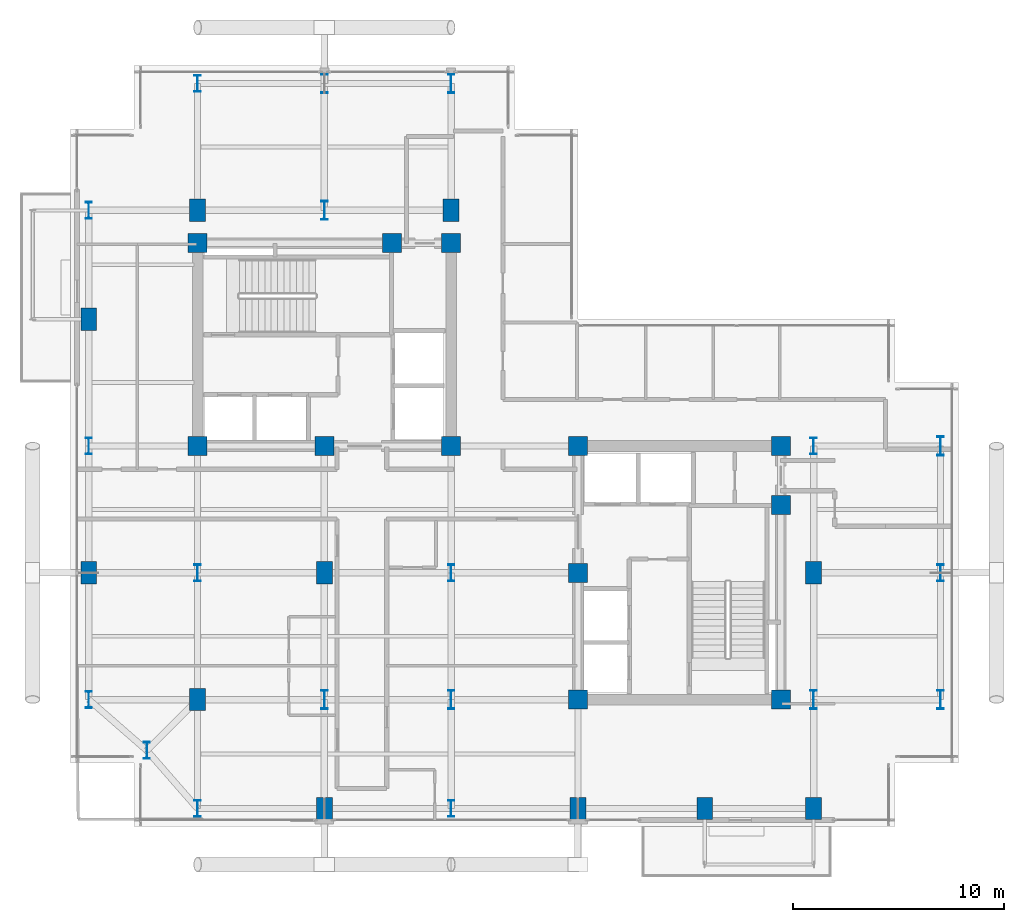
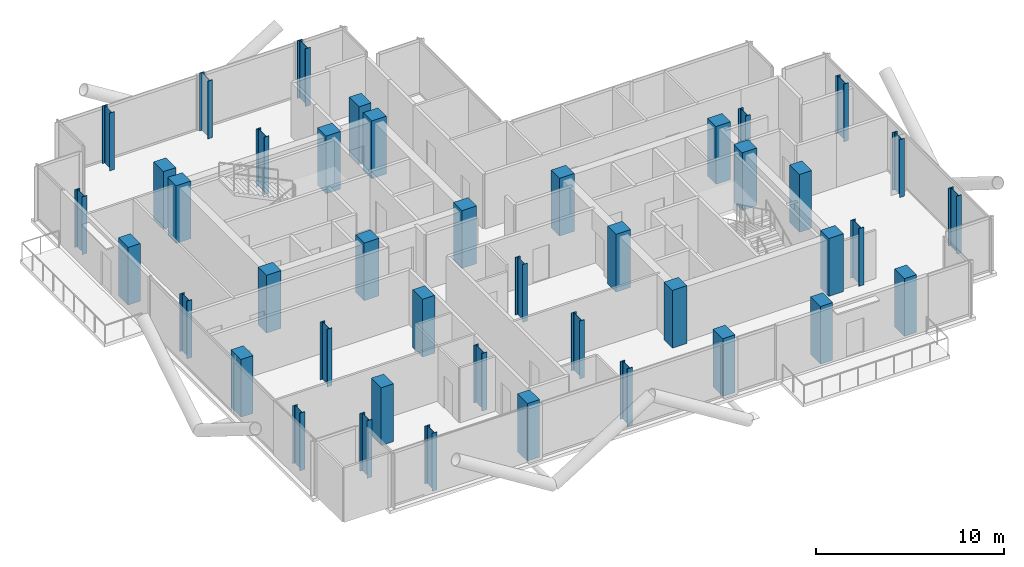
# One storey, part 1 of 25: 42 columns.
"""IFC4 building model written with IfcOpenShell, lengths in metres."""

from ifc_helpers import new_model, si_unit, direction, frame, origin, origin_2d, place, context, subcontext, project, spatial, rectangle, i_section, extrude, material, material_profile, profile_set, type_object, element, save


model = new_model("IFC4")

# Units and contexts
model_context = context("Model", 3, precision=1e-05, world=origin(), true_north=direction((0.0, 1.0)))
body_context = subcontext(model_context, "Body", "Model", "MODEL_VIEW")
ifc_project = project(units=[si_unit("LENGTHUNIT", "METRE"), si_unit("AREAUNIT", "SQUARE_METRE"), si_unit("VOLUMEUNIT", "CUBIC_METRE"), si_unit("PLANEANGLEUNIT", "RADIAN"), si_unit("MASSUNIT", "GRAM", prefix="KILO"), si_unit("THERMODYNAMICTEMPERATUREUNIT", "KELVIN"), si_unit("POWERUNIT", "WATT")], contexts=[model_context])

# Site, building, storey
site_placement = place(None, origin())
site = spatial("IfcSite", under=ifc_project, at=site_placement, CompositionType="ELEMENT")
building_placement = place(site_placement, origin())
building = spatial("IfcBuilding", under=site, at=building_placement, Name="Svarakhadi Broadcast Tower", CompositionType="ELEMENT")
storey_placement = place(building_placement, frame((0.0, 0.0, 216.14990234375)))
storey = spatial("IfcBuildingStorey", under=building, at=storey_placement, Name="L53", CompositionType="ELEMENT", Elevation=216.14990234375)

# Columns
ifc_material_1 = material(Name="Concrete C50/60 (IS 456 M60)", Category="concrete")
ifc_material_profile_1 = material_profile(ifc_material_1, rectangle(XDim=0.75, YDim=1.050048828125, at=origin_2d()), Name="RC 750x1050")
ifc_profile_set_1 = profile_set([ifc_material_profile_1], Name="Concrete C50/60 (IS 456 M60)")
column_type_1 = type_object("IfcColumnType", Name="Col_RC750", PredefinedType="COLUMN", material=ifc_profile_set_1)
for number, where, z_axis, x_axis, name in (
    (1, (0.85009765625, 12.0, 0.0), (0.0, 0.0, 1.0), (1.0, 0.0, 0.0), "L53 Column G04"),
    (2, (0.85009765625, 24.0, 0.0), (0.0, 0.0, 1.0), (1.0, 0.0, 0.0), "L53 Column G06"),
    (3, (6.0, 6.0, 0.0), (0.0, 0.0, 1.0), (1.0, 0.0, 0.0), "L53 Column G12"),
    (4, (6.0, 29.14990234375, 0.0), (0.0, 0.0, 1.0), (1.0, 0.0, 0.0), "L53 Column G14"),
    (5, (12.0, 0.85009765625, 0.0), (0.0, 0.0, 1.0), (1.0, 0.0, 0.0), "L53 Column G18"),
    (6, (12.0, 12.0, 0.0), (0.0, 0.0, 1.0), (1.0, 0.0, 0.0), "L53 Column G20"),
    (7, (18.0, 29.14990234375, 0.0), (0.0, 0.0, 1.0), (1.0, 0.0, 0.0), "L53 Column G28"),
    (8, (24.0, 0.85009765625, 0.0), (0.0, 0.0, 1.0), (1.0, 0.0, 0.0), "L53 Column G32"),
    (9, (30.0, 0.85009765625, 0.0), (0.0, 0.0, 1.0), (1.0, 0.0, 0.0), "L53 Column G36"),
    (10, (35.14990234375, 0.85009765625, 0.0), (0.0, 0.0, 1.0), (1.0, 0.0, 0.0), "L53 Column G38"),
    (11, (35.14990234375, 12.0, 0.0), (0.0, 0.0, 1.0), (1.0, 0.0, 0.0), "L53 Column G40"),
):
    element("IfcColumn", number, at=place(storey_placement, frame(where, z_axis=z_axis, x_axis=x_axis)), inside=storey, type_object=column_type_1, Name=name, PredefinedType="COLUMN", context=body_context, shape_type="SweptSolid", body=[
        extrude(rectangle(XDim=0.75, YDim=1.050048828125, at=origin_2d()), origin(), (0.0, 0.0, 1.0), 3.75),
    ])
ifc_material_profile_2 = material_profile(ifc_material_1, rectangle(XDim=0.89990234375, YDim=0.89990234375, at=origin_2d()), Name="RC 900x900")
ifc_profile_set_2 = profile_set([ifc_material_profile_2], Name="Concrete C50/60 (IS 456 M60)")
column_type_2 = type_object("IfcColumnType", Name="Col_RC900", PredefinedType="COLUMN", material=ifc_profile_set_2)
for number, where, z_axis, x_axis, name in (
    (12, (6.0, 18.0, 0.0), (0.0, 0.0, 1.0), (1.0, 0.0, 0.0), "L53 Column CW1"),
    (13, (12.0, 18.0, 0.0), (0.0, 0.0, 1.0), (1.0, 0.0, 0.0), "L53 Column CW2"),
    (14, (18.0, 18.0, 0.0), (0.0, 0.0, 1.0), (1.0, 0.0, 0.0), "L53 Column CW3"),
    (15, (6.0, 27.60009765625, 0.0), (0.0, 0.0, 1.0), (1.0, 0.0, 0.0), "L53 Column CW4"),
    (16, (15.199951171875, 27.60009765625, 0.0), (0.0, 0.0, 1.0), (1.0, 0.0, 0.0), "L53 Column CW5"),
    (17, (18.0, 27.60009765625, 0.0), (0.0, 0.0, 1.0), (1.0, 0.0, 0.0), "L53 Column CW6"),
    (18, (24.0, 6.0, 0.0), (0.0, 0.0, 1.0), (1.0, 0.0, 0.0), "L53 Column CE1"),
    (19, (24.0, 12.0, 0.0), (0.0, 0.0, 1.0), (1.0, 0.0, 0.0), "L53 Column CE2"),
    (20, (24.0, 18.0, 0.0), (0.0, 0.0, 1.0), (1.0, 0.0, 0.0), "L53 Column CE3"),
    (21, (33.60009765625, 6.0, 0.0), (0.0, 0.0, 1.0), (1.0, 0.0, 0.0), "L53 Column CE4"),
    (22, (33.60009765625, 15.199951171875, 0.0), (0.0, 0.0, 1.0), (1.0, 0.0, 0.0), "L53 Column CE5"),
    (23, (33.60009765625, 18.0, 0.0), (0.0, 0.0, 1.0), (1.0, 0.0, 0.0), "L53 Column CE6"),
):
    element("IfcColumn", number, at=place(storey_placement, frame(where, z_axis=z_axis, x_axis=x_axis)), inside=storey, type_object=column_type_2, Name=name, PredefinedType="COLUMN", context=body_context, shape_type="SweptSolid", body=[
        extrude(rectangle(XDim=0.89990234375, YDim=0.89990234375, at=origin_2d()), origin(), (0.0, 0.0, 1.0), 3.75),
    ])
ifc_material_2 = material(Name="Steel S460ML (IS 2062 E450BR)", Category="steel")
ifc_material_profile_3 = material_profile(ifc_material_2, i_section(OverallWidth=0.300048828125, OverallDepth=0.800048828125, WebThickness=0.017578125, FlangeThickness=0.032958984375, FilletRadius=0.030029296875, at=origin_2d()), Name="WPB 800x300x262")
ifc_profile_set_3 = profile_set([ifc_material_profile_3], Name="Steel S460ML (IS 2062 E450BR)")
column_type_3 = type_object("IfcColumnType", Name="Col_WPB800", PredefinedType="COLUMN", material=ifc_profile_set_3)
for number, where, z_axis, x_axis, name in (
    (24, (3.60009765625, 3.60009765625, 0.0), (0.0, 0.0, 1.0), (1.0, 0.0, 0.0), "L53 Column G01"),
    (25, (0.85009765625, 6.0, 0.0), (0.0, 0.0, 1.0), (1.0, 0.0, 0.0), "L53 Column G03"),
    (26, (0.85009765625, 18.0, 0.0), (0.0, 0.0, 1.0), (1.0, 0.0, 0.0), "L53 Column G05"),
    (27, (0.85009765625, 29.14990234375, 0.0), (0.0, 0.0, 1.0), (1.0, 0.0, 0.0), "L53 Column G07"),
    (28, (6.0, 0.85009765625, 0.0), (0.0, 0.0, 1.0), (1.0, 0.0, 0.0), "L53 Column G11"),
    (29, (6.0, 12.0, 0.0), (0.0, 0.0, 1.0), (1.0, 0.0, 0.0), "L53 Column G13"),
    (30, (6.0, 35.14990234375, 0.0), (0.0, 0.0, 1.0), (1.0, 0.0, 0.0), "L53 Column G15"),
    (31, (18.0, 0.85009765625, 0.0), (0.0, 0.0, 1.0), (1.0, 0.0, 0.0), "L53 Column G25"),
    (32, (18.0, 12.0, 0.0), (0.0, 0.0, 1.0), (1.0, 0.0, 0.0), "L53 Column G27"),
    (33, (35.14990234375, 18.0, 0.0), (0.0, 0.0, 1.0), (1.0, 0.0, 0.0), "L53 Column G41"),
    (34, (41.14990234375, 12.0, 0.0), (0.0, 0.0, 1.0), (1.0, 0.0, 0.0), "L53 Column G45"),
):
    element("IfcColumn", number, at=place(storey_placement, frame(where, z_axis=z_axis, x_axis=x_axis)), inside=storey, type_object=column_type_3, Name=name, PredefinedType="COLUMN", context=body_context, shape_type="SweptSolid", body=[
        extrude(i_section(OverallWidth=0.300048828125, OverallDepth=0.800048828125, WebThickness=0.017578125, FlangeThickness=0.032958984375, FilletRadius=0.030029296875, at=origin_2d()), origin(), (0.0, 0.0, 1.0), 3.75),
    ])
ifc_material_profile_4 = material_profile(ifc_material_2, i_section(OverallWidth=0.300048828125, OverallDepth=0.89990234375, WebThickness=0.0185546875, FlangeThickness=0.034912109375, FilletRadius=0.030029296875, at=origin_2d()), Name="WPB 900x300x291")
ifc_profile_set_4 = profile_set([ifc_material_profile_4], Name="Steel S460ML (IS 2062 E450BR)")
column_type_4 = type_object("IfcColumnType", Name="Col_WPB900", PredefinedType="COLUMN", material=ifc_profile_set_4)
for number, where, z_axis, x_axis, name in (
    (35, (12.0, 6.0, 0.0), (0.0, 0.0, 1.0), (1.0, 0.0, 0.0), "L53 Column G19"),
    (36, (12.0, 29.14990234375, 0.0), (0.0, 0.0, 1.0), (1.0, 0.0, 0.0), "L53 Column G21"),
    (37, (12.0, 35.14990234375, 0.0), (0.0, 0.0, 1.0), (1.0, 0.0, 0.0), "L53 Column G22"),
    (38, (18.0, 6.0, 0.0), (0.0, 0.0, 1.0), (1.0, 0.0, 0.0), "L53 Column G26"),
    (39, (18.0, 35.14990234375, 0.0), (0.0, 0.0, 1.0), (1.0, 0.0, 0.0), "L53 Column G29"),
    (40, (35.14990234375, 6.0, 0.0), (0.0, 0.0, 1.0), (1.0, 0.0, 0.0), "L53 Column G39"),
    (41, (41.14990234375, 6.0, 0.0), (0.0, 0.0, 1.0), (1.0, 0.0, 0.0), "L53 Column G44"),
    (42, (41.14990234375, 18.0, 0.0), (0.0, 0.0, 1.0), (1.0, 0.0, 0.0), "L53 Column G46"),
):
    element("IfcColumn", number, at=place(storey_placement, frame(where, z_axis=z_axis, x_axis=x_axis)), inside=storey, type_object=column_type_4, Name=name, PredefinedType="COLUMN", context=body_context, shape_type="SweptSolid", body=[
        extrude(i_section(OverallWidth=0.300048828125, OverallDepth=0.89990234375, WebThickness=0.0185546875, FlangeThickness=0.034912109375, FilletRadius=0.030029296875, at=origin_2d()), origin(), (0.0, 0.0, 1.0), 3.75),
    ])

save(model, "model.ifc")
